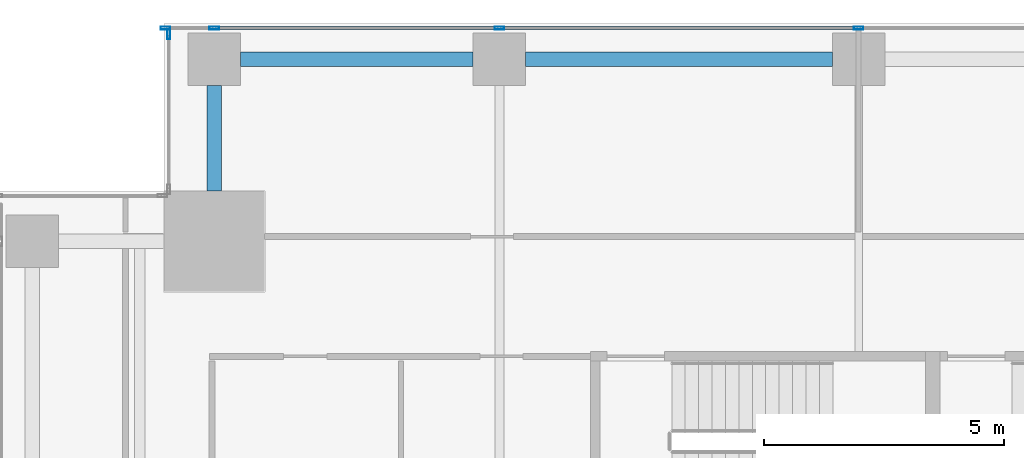
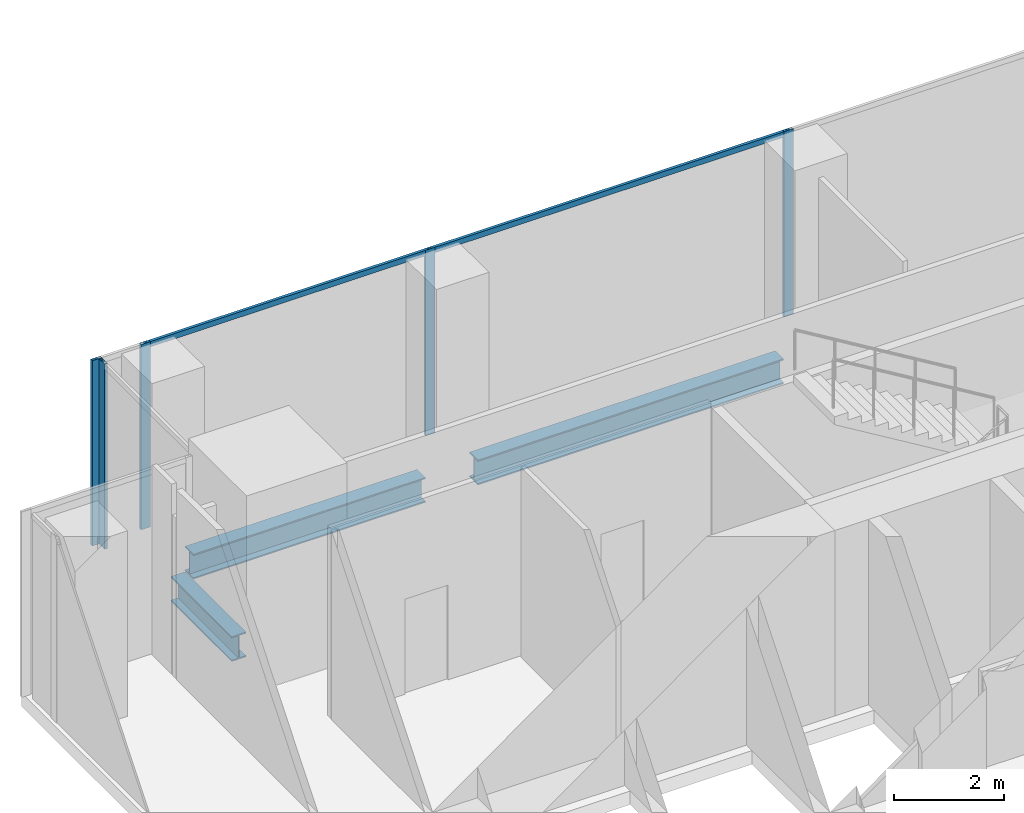
# One storey, part 16 of 33: 7 members, 3 beams, 2 elements without a shape of their own.
"""IFC4 building model written with IfcOpenShell, lengths in metres."""

from ifc_helpers import new_model, si_unit, direction, frame, origin, origin_2d, place, context, subcontext, project, spatial, hollow_rectangle, i_section, extrude, source, transform, mapped, material, material_profile, profile_set, type_object, element, aggregate, save


model = new_model("IFC4")

# Units and contexts
model_context = context("Model", 3, precision=1e-05, world=origin(), true_north=direction((0.0, 1.0)))
body_context = subcontext(model_context, "Body", "Model", "MODEL_VIEW")
ifc_project = project(units=[si_unit("LENGTHUNIT", "METRE"), si_unit("AREAUNIT", "SQUARE_METRE"), si_unit("VOLUMEUNIT", "CUBIC_METRE"), si_unit("PLANEANGLEUNIT", "RADIAN"), si_unit("MASSUNIT", "GRAM", prefix="KILO")], contexts=[model_context])

# Site, building, storey
site_placement = place(None, origin())
site = spatial("IfcSite", under=ifc_project, at=site_placement, CompositionType="ELEMENT")
building_placement = place(site_placement, origin())
building = spatial("IfcBuilding", under=site, at=building_placement, Name="Khomas Fold Tower", CompositionType="ELEMENT")
storey_placement = place(building_placement, frame((0.0, 0.0, 149.89990234375)))
storey = spatial("IfcBuildingStorey", under=building, at=storey_placement, Name="L32", CompositionType="ELEMENT", Elevation=149.89990234375)

# Beams
ifc_material_1 = material(Name="Steel S355", Category="steel")
ifc_material_profile_1 = material_profile(ifc_material_1, i_section(OverallWidth=0.300048828125, OverallDepth=0.550048828125, WebThickness=0.014892578125, FlangeThickness=0.029052734375, at=origin_2d()), Name="HE 550 B")
ifc_profile_set_1 = profile_set([ifc_material_profile_1], Name="Steel S355")
beam_type = type_object("IfcBeamType", Name="HE 550 B spandrel SB2", PredefinedType="SPANDREL", material=ifc_profile_set_1)
shared_shape_1 = source(origin(), body_context, "Body", "SweptSolid", [
    extrude(i_section(OverallWidth=0.300048828125, OverallDepth=0.550048828125, WebThickness=0.014892578125, FlangeThickness=0.029052734375, at=origin_2d()), origin(), (0.0, 0.0, 1.0), 4.849853515625),
])
beam_1_placement = place(storey_placement, frame((6.60009765625, 51.75, -0.574951171875), z_axis=(1.0, 0.0, 0.0), x_axis=(0.0, 1.0, 0.0)))
element("IfcBeam", 1, at=beam_1_placement, inside=storey, type_object=beam_type, Name="SB2", PredefinedType="SPANDREL", context=body_context, shape_type="MappedRepresentation", body=[
    mapped(shared_shape_1, transform((0.0, 0.0, 0.0))),
])
shared_shape_2 = source(origin(), body_context, "Body", "SweptSolid", [
    extrude(i_section(OverallWidth=0.300048828125, OverallDepth=0.550048828125, WebThickness=0.014892578125, FlangeThickness=0.029052734375, at=origin_2d()), origin(), (0.0, 0.0, 1.0), 6.39990234375),
])
beam_2_placement = place(storey_placement, frame((12.550048828125, 51.75, -0.574951171875), z_axis=(1.0, 0.0, 0.0), x_axis=(0.0, 1.0, 0.0)))
element("IfcBeam", 2, at=beam_2_placement, inside=storey, type_object=beam_type, Name="SB2", PredefinedType="SPANDREL", context=body_context, shape_type="MappedRepresentation", body=[
    mapped(shared_shape_2, transform((0.0, 0.0, 0.0))),
])
shared_shape_3 = source(origin(), body_context, "Body", "SweptSolid", [
    extrude(i_section(OverallWidth=0.300048828125, OverallDepth=0.550048828125, WebThickness=0.014892578125, FlangeThickness=0.029052734375, at=origin_2d()), origin(), (0.0, 0.0, 1.0), 2.199951171875),
])
beam_3_placement = place(storey_placement, frame((6.050048828125, 49.0, -0.574951171875), z_axis=(0.0, 1.0, 0.0), x_axis=(-1.0, 0.0, 0.0)))
element("IfcBeam", 3, at=beam_3_placement, inside=storey, type_object=beam_type, Name="SB2", PredefinedType="SPANDREL", context=body_context, shape_type="MappedRepresentation", body=[
    mapped(shared_shape_3, transform((0.0, 0.0, 0.0))),
])

# Curtain wall, members
ifc_material_2 = material(Name="Aluminium framed double glazing", Category="aluminium")
curtain_wall_type = type_object("IfcCurtainWallType", Name="SK-Unitised clear-glass wall, growing floors CW1", PredefinedType="NOTDEFINED", material=ifc_material_2)
curtain_wall_1_placement = place(storey_placement, origin())
curtain_wall_1 = element("IfcCurtainWall", 4, at=curtain_wall_1_placement, inside=storey, type_object=curtain_wall_type, Name="CW1 run L32 06-1", PredefinedType="NOTDEFINED")
ifc_material_3 = material(Name="Aluminium", Category="aluminium")
ifc_material_profile_2 = material_profile(ifc_material_3, hollow_rectangle(XDim=0.06005859375, YDim=0.1201171875, WallThickness=0.00390625, at=origin_2d()), Name="SK-Unitised clear-glass wall, growing floors transom CW1-T")
ifc_profile_set_2 = profile_set([ifc_material_profile_2], Name="Aluminium")
member_type_1 = type_object("IfcMemberType", Name="SK-Unitised clear-glass wall, growing floors transom CW1-T", PredefinedType="USERDEFINED", material=ifc_profile_set_2)
shared_shape_4 = source(origin(), body_context, "Body", "SweptSolid", [
    extrude(hollow_rectangle(XDim=0.06005859375, YDim=0.1201171875, WallThickness=0.00390625, at=origin_2d()), origin(), (0.0, 0.0, 1.0), 7.43994140625),
])
member_1_placement = place(storey_placement, frame((19.469970703125, 52.39990234375, 4.0400390625), z_axis=(-1.0, 0.0, 0.0), x_axis=(0.0, -1.0, 0.0)))
member_1 = element("IfcMember", 5, at=member_1_placement, type_object=member_type_1, Name="CW1 transom 3", ObjectType="TRANSOM", PredefinedType="USERDEFINED", context=body_context, shape_type="MappedRepresentation", body=[
    mapped(shared_shape_4, transform((0.0, 0.0, 0.0))),
])
ifc_material_4 = material(Name="Aluminium", Category="aluminium")
ifc_material_profile_3 = material_profile(ifc_material_4, hollow_rectangle(XDim=0.06005859375, YDim=0.199951171875, WallThickness=0.00390625, at=origin_2d()), Name="SK-Unitised clear-glass wall, growing floors mullion CW1-M")
ifc_profile_set_3 = profile_set([ifc_material_profile_3], Name="Aluminium")
member_type_2 = type_object("IfcMemberType", Name="SK-Unitised clear-glass wall, growing floors mullion CW1-M", PredefinedType="MULLION", material=ifc_profile_set_3)
shared_shape_5 = source(origin(), body_context, "Body", "SweptSolid", [
    extrude(hollow_rectangle(XDim=0.06005859375, YDim=0.199951171875, WallThickness=0.00390625, at=origin_2d()), origin(), (0.0, 0.0, 1.0), 4.10009765625),
])
member_2_placement = place(storey_placement, frame((19.5, 52.39990234375, 0.0), z_axis=(0.0, 0.0, 1.0), x_axis=(0.0, -1.0, 0.0)))
member_2 = element("IfcMember", 6, at=member_2_placement, type_object=member_type_2, Name="CW1 mullion 3", PredefinedType="MULLION", context=body_context, shape_type="MappedRepresentation", body=[
    mapped(shared_shape_5, transform((0.0, 0.0, 0.0))),
])
member_3_placement = place(storey_placement, frame((12.0, 52.39990234375, 0.0), z_axis=(0.0, 0.0, 1.0), x_axis=(0.0, -1.0, 0.0)))
member_3 = element("IfcMember", 7, at=member_3_placement, type_object=member_type_2, Name="CW1 mullion 4", PredefinedType="MULLION", context=body_context, shape_type="MappedRepresentation", body=[
    mapped(shared_shape_5, transform((0.0, 0.0, 0.0))),
])
member_4_placement = place(storey_placement, frame((6.050048828125, 52.39990234375, 0.0), z_axis=(0.0, 0.0, 1.0), x_axis=(0.0, -1.0, 0.0)))
member_4 = element("IfcMember", 8, at=member_4_placement, type_object=member_type_2, Name="CW1 mullion 5", PredefinedType="MULLION", context=body_context, shape_type="MappedRepresentation", body=[
    mapped(shared_shape_5, transform((0.0, 0.0, 0.0))),
])
member_5_placement = place(storey_placement, frame((5.030029296875, 52.39990234375, 0.0), z_axis=(0.0, 0.0, 1.0), x_axis=(0.0, -1.0, 0.0)))
member_5 = element("IfcMember", 9, at=member_5_placement, type_object=member_type_2, Name="CW1 mullion 6", PredefinedType="MULLION", context=body_context, shape_type="MappedRepresentation", body=[
    mapped(shared_shape_5, transform((0.0, 0.0, 0.0))),
])

# Curtain wall, member
curtain_wall_2_placement = place(storey_placement, origin())
curtain_wall_2 = element("IfcCurtainWall", 10, at=curtain_wall_2_placement, inside=storey, type_object=curtain_wall_type, Name="CW1 corner return L32 07", PredefinedType="NOTDEFINED")
member_6_placement = place(storey_placement, frame((5.10009765625, 52.27001953125, 0.0), z_axis=(0.0, 0.0, 1.0), x_axis=(1.0, 0.0, 0.0)))
member_6 = element("IfcMember", 11, at=member_6_placement, type_object=member_type_2, Name="CW1 mullion 1", PredefinedType="MULLION", context=body_context, shape_type="MappedRepresentation", body=[
    mapped(shared_shape_5, transform((0.0, 0.0, 0.0))),
])
aggregate(curtain_wall_2, [member_6])

# Member
shared_shape_6 = source(origin(), body_context, "Body", "SweptSolid", [
    extrude(hollow_rectangle(XDim=0.06005859375, YDim=0.1201171875, WallThickness=0.00390625, at=origin_2d()), origin(), (0.0, 0.0, 1.0), 5.889892578125),
])
member_7_placement = place(storey_placement, frame((11.969970703125, 52.39990234375, 4.0400390625), z_axis=(-1.0, 0.0, 0.0), x_axis=(0.0, -1.0, 0.0)))
member_7 = element("IfcMember", 12, at=member_7_placement, type_object=member_type_1, Name="CW1 transom 4", ObjectType="TRANSOM", PredefinedType="USERDEFINED", context=body_context, shape_type="MappedRepresentation", body=[
    mapped(shared_shape_6, transform((0.0, 0.0, 0.0))),
])

aggregate(curtain_wall_1, [member_2, member_3, member_4, member_5, member_1, member_7])

save(model, "model.ifc")
